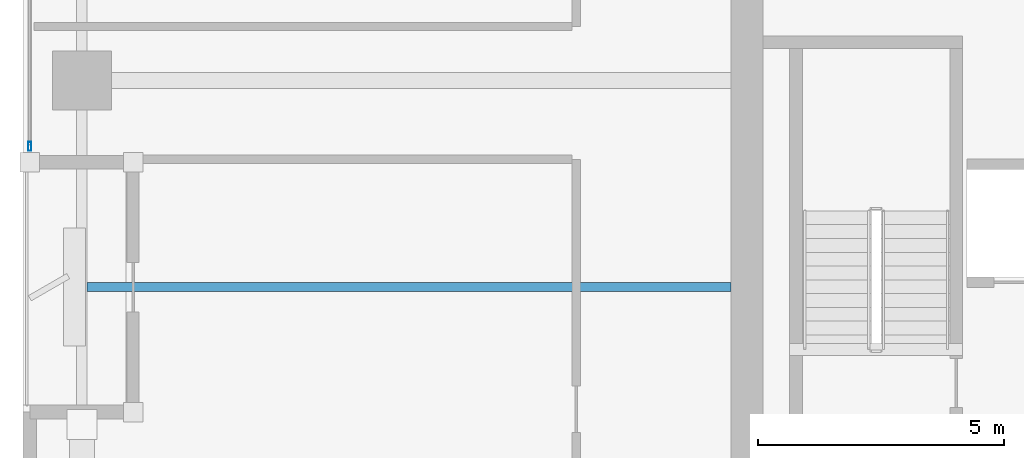
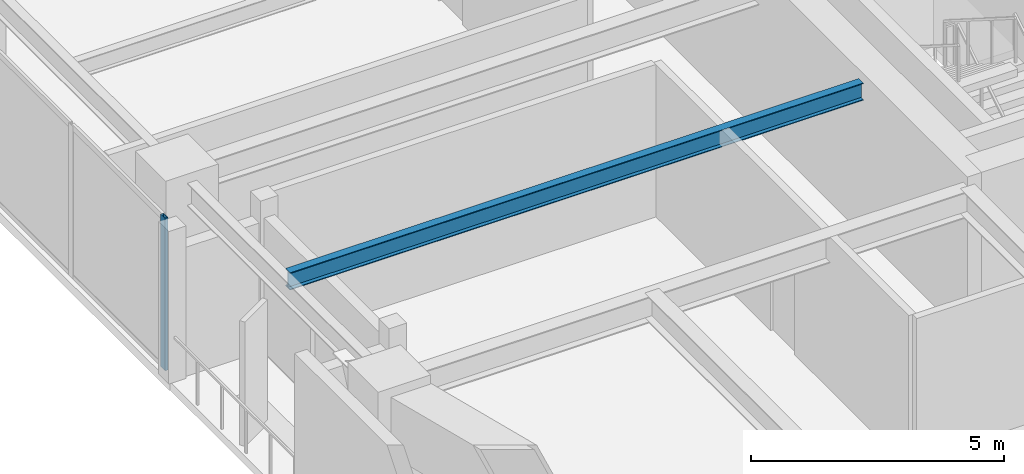
# One storey, part 2 of 30: 1 beam, 1 member, 1 element without a shape of its own.
"""IFC4 building model written with IfcOpenShell, lengths in metres."""

from ifc_helpers import new_model, si_unit, direction, frame, origin, origin_2d, place, context, subcontext, project, spatial, hollow_rectangle, i_section, extrude, material, layer, layer_set, material_profile, profile_set, type_object, element, aggregate, save


model = new_model("IFC4")

# Units and contexts
model_context = context("Model", 3, precision=1e-05, world=origin(), true_north=direction((0.0, 1.0)))
body_context = subcontext(model_context, "Body", "Model", "MODEL_VIEW")
ifc_project = project(units=[si_unit("LENGTHUNIT", "METRE"), si_unit("AREAUNIT", "SQUARE_METRE"), si_unit("VOLUMEUNIT", "CUBIC_METRE"), si_unit("PLANEANGLEUNIT", "RADIAN"), si_unit("MASSUNIT", "GRAM", prefix="KILO")], contexts=[model_context])

# Site, building, storey
site_placement = place(None, origin())
site = spatial("IfcSite", under=ifc_project, at=site_placement, CompositionType="ELEMENT")
building_placement = place(site_placement, origin())
building = spatial("IfcBuilding", under=site, at=building_placement, Name="Kiyonajd Concourse Tower", CompositionType="ELEMENT")
storey_placement = place(building_placement, frame((0.0, 0.0, 190.199951171875)))
storey = spatial("IfcBuildingStorey", under=building, at=storey_placement, Name="L48", CompositionType="ELEMENT", Elevation=190.199951171875)

# Beam
ifc_material_1 = material(Name="Steel ASTM A992 Grade 50", Category="steel")
ifc_material_profile_1 = material_profile(ifc_material_1, i_section(OverallWidth=0.180908203125, OverallDepth=0.4169921875, WebThickness=0.010986328125, FlangeThickness=0.018310546875, at=origin_2d()), Name="W410X85")
ifc_profile_set_1 = profile_set([ifc_material_profile_1], Name="Steel ASTM A992 Grade 50")
beam_type = type_object("IfcBeamType", Name="BM-JST-410", PredefinedType="JOIST", material=ifc_profile_set_1)
beam_placement = place(storey_placement, frame((19.306884765625, 31.800048828125, 3.471435546875), z_axis=(1.0, 0.0, 0.0), x_axis=(0.0, 1.0, 0.0)))
element("IfcBeam", 1, at=beam_placement, inside=storey, type_object=beam_type, Name="L48 West Secondary Floor Joist", PredefinedType="JOIST", context=body_context, shape_type="SweptSolid", body=[
    extrude(i_section(OverallWidth=0.180908203125, OverallDepth=0.4169921875, WebThickness=0.010986328125, FlangeThickness=0.018310546875, at=origin_2d()), origin(), (0.0, 0.0, 1.0), 13.093017578125),
])

# Curtain wall, member
ifc_material_2 = material(Name="Thermally Broken Anodised Aluminium", Category="aluminium")
ifc_layer = layer(ifc_material_2, 0.179931640625)
ifc_layer_set = layer_set([ifc_layer], Name="Thermally Broken Anodised Aluminium")
curtain_wall_type = type_object("IfcCurtainWallType", Name="CW-SYS-03", PredefinedType="NOTDEFINED", material=ifc_layer_set)
curtain_wall_placement = place(storey_placement, origin())
curtain_wall = element("IfcCurtainWall", 2, at=curtain_wall_placement, inside=storey, type_object=curtain_wall_type, Name="L48 Unitised Curtain Wall CW3", PredefinedType="NOTDEFINED")
ifc_material_profile_2 = material_profile(ifc_material_2, hollow_rectangle(XDim=0.06494140625, YDim=0.179931640625, WallThickness=0.00390625, at=origin_2d()), Name="MULL-65x180")
ifc_profile_set_2 = profile_set([ifc_material_profile_2], Name="Thermally Broken Anodised Aluminium")
member_type = type_object("IfcMemberType", Name="MB-CW-MULL1", PredefinedType="MULLION", material=ifc_profile_set_2)
member_placement = place(storey_placement, frame((18.139892578125, 34.66259765625, 0.0), z_axis=(0.0, 0.0, 1.0), x_axis=(-1.0, 0.0, 0.0)))
member = element("IfcMember", 3, at=member_placement, type_object=member_type, Name="CW3 mullion 1", PredefinedType="MULLION", context=body_context, shape_type="SweptSolid", body=[
    extrude(hollow_rectangle(XDim=0.06494140625, YDim=0.179931640625, WallThickness=0.00390625, at=origin_2d()), origin(), (0.0, 0.0, 1.0), 3.679931640625),
])
aggregate(curtain_wall, [member])

save(model, "model.ifc")
